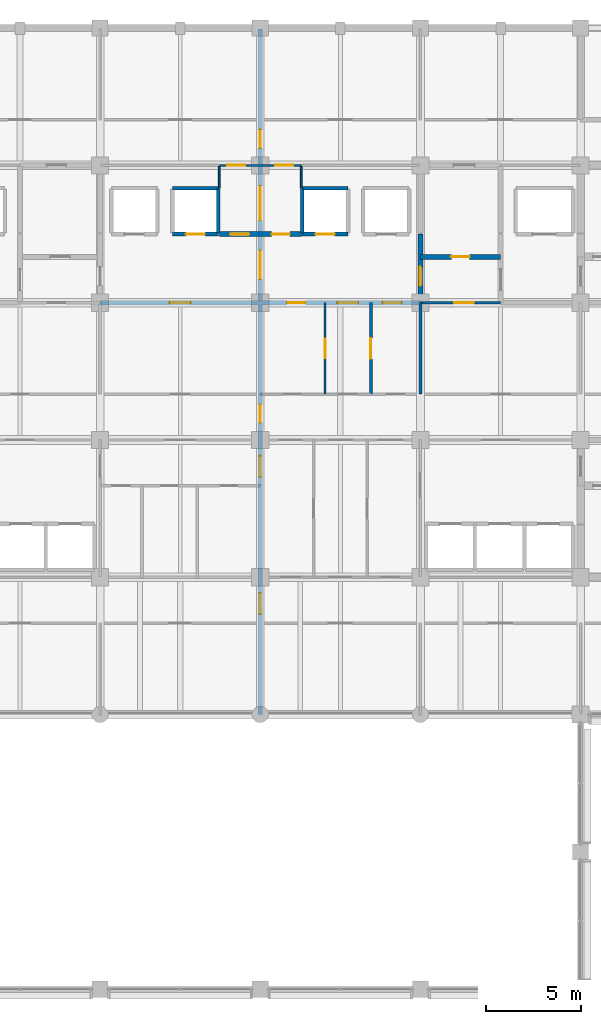
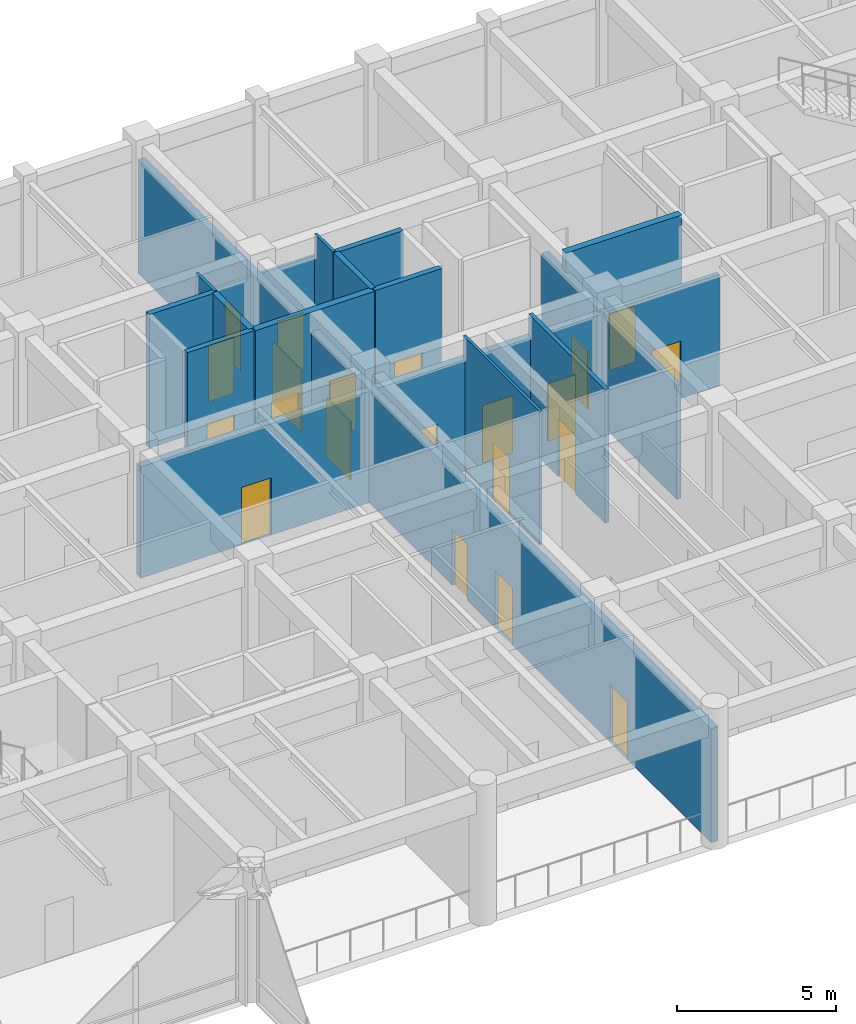
# One storey, part 34 of 51: 21 doors, 18 walls, 21 openings.
"""IFC4 building model written with IfcOpenShell, lengths in metres."""

from ifc_helpers import new_model, si_unit, direction, frame, frame_2d, origin, place, context, subcontext, project, spatial, rectangle, extrude, material, layer, layer_set, type_object, element, fill, save


model = new_model("IFC4")

# Units and contexts
model_context = context("Model", 3, precision=1e-05, world=origin(), true_north=direction((0.0, 1.0)))
body_context = subcontext(model_context, "Body", "Model", "MODEL_VIEW")
ifc_project = project(units=[si_unit("LENGTHUNIT", "METRE"), si_unit("AREAUNIT", "SQUARE_METRE"), si_unit("VOLUMEUNIT", "CUBIC_METRE"), si_unit("PLANEANGLEUNIT", "RADIAN"), si_unit("MASSUNIT", "GRAM", prefix="KILO")], contexts=[model_context])

# Site, building, storey
site_placement = place(None, origin())
site = spatial("IfcSite", under=ifc_project, at=site_placement, CompositionType="ELEMENT")
building_placement = place(site_placement, origin())
building = spatial("IfcBuilding", under=site, at=building_placement, Name="Chengyuan Square Courthouse", CompositionType="ELEMENT")
storey_placement = place(building_placement, frame((0.0, 0.0, 10.800048828125)))
storey = spatial("IfcBuildingStorey", under=building, at=storey_placement, Name="L03", CompositionType="ELEMENT", Elevation=10.800048828125)

# Wall, openings, doors
ifc_material_1 = material(Name="Concrete C40", Category="concrete")
ifc_layer_1 = layer(ifc_material_1, 0.25)
ifc_layer_set_1 = layer_set([ifc_layer_1], Name="Concrete C40")
wall_type_1 = type_object("IfcWallType", Name="WL-FW1", PredefinedType="STANDARD", material=ifc_layer_set_1)
wall_1_placement = place(storey_placement, frame((75.60009765625, 100.800048828125, 0.0), z_axis=(0.0, 0.0, 1.0), x_axis=(1.0, 0.0, 0.0)))
wall_1 = element("IfcWall", 1, at=wall_1_placement, inside=storey, type_object=wall_type_1, Name="Interior Wall WL-L03-I1486", PredefinedType="STANDARD", context=body_context, shape_type="SweptSolid", body=[
    extrude(rectangle(XDim=16.7998046875, YDim=0.25, at=frame_2d((8.39990234375, 0.0))), origin(), (0.0, 0.0, 1.0), 4.27001953125),
])
opening_1_placement = place(wall_1_placement, frame((3.64990234375, 0.0, 0.0)))
opening_1 = element("IfcOpeningElement", 2, at=opening_1_placement, cuts=wall_1, Name="Opening DR-1392", PredefinedType="OPENING", context=body_context, shape_type="SweptSolid", body=[
    extrude(rectangle(XDim=1.10009765625, YDim=2.199951171875, at=frame_2d((0.550048828125, 1.10009765625))), frame((0.0, 0.136962890625, 0.0), z_axis=(0.0, -1.0, 0.0), x_axis=(1.0, 0.0, 0.0)), (0.0, 0.0, 1.0), 0.27392578125),
])
opening_2_placement = place(wall_1_placement, frame((9.81005859375, 0.0, 0.0)))
opening_2 = element("IfcOpeningElement", 3, at=opening_2_placement, cuts=wall_1, Name="Opening DR-1394", PredefinedType="OPENING", context=body_context, shape_type="SweptSolid", body=[
    extrude(rectangle(XDim=0.949951171875, YDim=2.14990234375, at=frame_2d((0.47509765625, 1.074951171875))), frame((0.0, 0.136962890625, 0.0), z_axis=(0.0, -1.0, 0.0), x_axis=(1.0, 0.0, 0.0)), (0.0, 0.0, 1.0), 0.27392578125),
])
opening_3_placement = place(wall_1_placement, frame((12.449951171875, 0.0, 0.0)))
opening_3 = element("IfcOpeningElement", 4, at=opening_3_placement, cuts=wall_1, Name="Opening DR-1395", PredefinedType="OPENING", context=body_context, shape_type="SweptSolid", body=[
    extrude(rectangle(XDim=1.10009765625, YDim=2.199951171875, at=frame_2d((0.550048828125, 1.10009765625))), frame((0.0, 0.136962890625, 0.0), z_axis=(0.0, -1.0, 0.0), x_axis=(1.0, 0.0, 0.0)), (0.0, 0.0, 1.0), 0.27392578125),
])
opening_4_placement = place(wall_1_placement, frame((14.81494140625, 0.0, 0.0)))
opening_4 = element("IfcOpeningElement", 5, at=opening_4_placement, cuts=wall_1, Name="Opening DR-1396", PredefinedType="OPENING", context=body_context, shape_type="SweptSolid", body=[
    extrude(rectangle(XDim=1.0, YDim=2.199951171875, at=frame_2d((0.5, 1.10009765625))), frame((0.0, 0.136962890625, 0.0), z_axis=(0.0, -1.0, 0.0), x_axis=(1.0, 0.0, 0.0)), (0.0, 0.0, 1.0), 0.27392578125),
])
ifc_material_2 = material(Name="Steel Q235B Fire Door", Category="steel")
door_type_1 = type_object("IfcDoorType", Name="DT-10", OperationType="NOTDEFINED", PredefinedType="DOOR", material=ifc_material_2)
door_1_placement = place(opening_1_placement, origin())
door_1 = element("IfcDoor", 6, at=door_1_placement, inside=storey, type_object=door_type_1, Name="Interior Door DR-1392", OperationType="SINGLE_SWING_RIGHT", OverallHeight=2.199951171875, OverallWidth=1.10009765625, PredefinedType="DOOR", context=body_context, shape_type="SweptSolid", body=[
    extrude(rectangle(XDim=1.10009765625, YDim=2.199951171875, at=frame_2d((0.550048828125, 1.10009765625))), frame((0.0, 0.02490234375, 0.0), z_axis=(0.0, -1.0, 0.0), x_axis=(1.0, 0.0, 0.0)), (0.0, 0.0, 1.0), 0.050048828125),
])
fill(opening_1, door_1)
door_2_placement = place(opening_3_placement, origin())
door_2 = element("IfcDoor", 7, at=door_2_placement, inside=storey, type_object=door_type_1, Name="Interior Door DR-1395", OperationType="SINGLE_SWING_LEFT", OverallHeight=2.199951171875, OverallWidth=1.10009765625, PredefinedType="DOOR", context=body_context, shape_type="SweptSolid", body=[
    extrude(rectangle(XDim=1.10009765625, YDim=2.199951171875, at=frame_2d((0.550048828125, 1.10009765625))), frame((0.0, 0.02490234375, 0.0), z_axis=(0.0, -1.0, 0.0), x_axis=(1.0, 0.0, 0.0)), (0.0, 0.0, 1.0), 0.050048828125),
])
fill(opening_3, door_2)
door_type_2 = type_object("IfcDoorType", Name="DT-11", OperationType="NOTDEFINED", PredefinedType="DOOR", material=ifc_material_2)
door_3_placement = place(opening_4_placement, origin())
door_3 = element("IfcDoor", 8, at=door_3_placement, inside=storey, type_object=door_type_2, Name="Interior Door DR-1396", OperationType="SINGLE_SWING_RIGHT", OverallHeight=2.199951171875, OverallWidth=1.0, PredefinedType="DOOR", context=body_context, shape_type="SweptSolid", body=[
    extrude(rectangle(XDim=1.0, YDim=2.199951171875, at=frame_2d((0.5, 1.10009765625))), frame((0.0, 0.02490234375, 0.0), z_axis=(0.0, -1.0, 0.0), x_axis=(1.0, 0.0, 0.0)), (0.0, 0.0, 1.0), 0.050048828125),
])
fill(opening_4, door_3)
door_type_3 = type_object("IfcDoorType", Name="DT-12", OperationType="NOTDEFINED", PredefinedType="DOOR", material=ifc_material_2)
door_4_placement = place(opening_2_placement, origin())
door_4 = element("IfcDoor", 9, at=door_4_placement, inside=storey, type_object=door_type_3, Name="Interior Door DR-1394", OperationType="SINGLE_SWING_RIGHT", OverallHeight=2.14990234375, OverallWidth=0.949951171875, PredefinedType="DOOR", context=body_context, shape_type="SweptSolid", body=[
    extrude(rectangle(XDim=0.949951171875, YDim=2.14990234375, at=frame_2d((0.47509765625, 1.074951171875))), frame((0.0, 0.02490234375, 0.0), z_axis=(0.0, -1.0, 0.0), x_axis=(1.0, 0.0, 0.0)), (0.0, 0.0, 1.0), 0.050048828125),
])
fill(opening_2, door_4)

# Wall, opening, door
wall_2_placement = place(storey_placement, frame((92.39990234375, 103.199951171875, 0.0), z_axis=(0.0, 0.0, 1.0), x_axis=(1.0, 0.0, 0.0)))
wall_2 = element("IfcWall", 10, at=wall_2_placement, inside=storey, type_object=wall_type_1, Name="Interior Wall WL-L03-I1503", PredefinedType="STANDARD", context=body_context, shape_type="SweptSolid", body=[
    extrude(rectangle(XDim=4.2001953125, YDim=0.25, at=frame_2d((2.10009765625, 0.0))), origin(), (0.0, 0.0, 1.0), 5.119873046875),
])
opening_5_placement = place(wall_2_placement, frame((1.625, 0.0, 0.0)))
opening_5 = element("IfcOpeningElement", 11, at=opening_5_placement, cuts=wall_2, Name="Opening DR-1376", PredefinedType="OPENING", context=body_context, shape_type="SweptSolid", body=[
    extrude(rectangle(XDim=0.949951171875, YDim=2.14990234375, at=frame_2d((0.47509765625, 1.074951171875))), frame((0.0, 0.136962890625, 0.0), z_axis=(0.0, -1.0, 0.0), x_axis=(1.0, 0.0, 0.0)), (0.0, 0.0, 1.0), 0.27392578125),
])
door_5_placement = place(opening_5_placement, origin())
door_5 = element("IfcDoor", 12, at=door_5_placement, inside=storey, type_object=door_type_3, Name="Interior Door DR-1376", OperationType="SINGLE_SWING_LEFT", OverallHeight=2.14990234375, OverallWidth=0.949951171875, PredefinedType="DOOR", context=body_context, shape_type="SweptSolid", body=[
    extrude(rectangle(XDim=0.949951171875, YDim=2.14990234375, at=frame_2d((0.47509765625, 1.074951171875))), frame((0.0, 0.02490234375, 0.0), z_axis=(0.0, -1.0, 0.0), x_axis=(1.0, 0.0, 0.0)), (0.0, 0.0, 1.0), 0.050048828125),
])
fill(opening_5, door_5)

# Wall, openings, doors
wall_3_placement = place(storey_placement, frame((81.85009765625, 104.39990234375, 0.0), z_axis=(0.0, 0.0, 1.0), x_axis=(1.0, 0.0, 0.0)))
wall_3 = element("IfcWall", 13, at=wall_3_placement, inside=storey, type_object=wall_type_1, Name="Interior Wall WL-L03-I1514", PredefinedType="STANDARD", context=body_context, shape_type="SweptSolid", body=[
    extrude(rectangle(XDim=4.2998046875, YDim=0.25, at=frame_2d((2.14990234375, 0.0))), origin(), (0.0, 0.0, 1.0), 5.119873046875),
])
opening_6_placement = place(wall_3_placement, frame((0.574951171875, 0.0, 0.0)))
opening_6 = element("IfcOpeningElement", 14, at=opening_6_placement, cuts=wall_3, Name="Opening DR-1393", PredefinedType="OPENING", context=body_context, shape_type="SweptSolid", body=[
    extrude(rectangle(XDim=1.0, YDim=2.199951171875, at=frame_2d((0.5, 1.10009765625))), frame((0.0, 0.136962890625, 0.0), z_axis=(0.0, -1.0, 0.0), x_axis=(1.0, 0.0, 0.0)), (0.0, 0.0, 1.0), 0.27392578125),
])
opening_7_placement = place(wall_3_placement, frame((2.75, 0.0, 0.0)))
opening_7 = element("IfcOpeningElement", 15, at=opening_7_placement, cuts=wall_3, Name="Opening DR-1397", PredefinedType="OPENING", context=body_context, shape_type="SweptSolid", body=[
    extrude(rectangle(XDim=0.949951171875, YDim=2.14990234375, at=frame_2d((0.47509765625, 1.074951171875))), frame((0.0, 0.136962890625, 0.0), z_axis=(0.0, -1.0, 0.0), x_axis=(1.0, 0.0, 0.0)), (0.0, 0.0, 1.0), 0.27392578125),
])
door_6_placement = place(opening_6_placement, origin())
door_6 = element("IfcDoor", 16, at=door_6_placement, inside=storey, type_object=door_type_2, Name="Interior Door DR-1393", OperationType="SINGLE_SWING_LEFT", OverallHeight=2.199951171875, OverallWidth=1.0, PredefinedType="DOOR", context=body_context, shape_type="SweptSolid", body=[
    extrude(rectangle(XDim=1.0, YDim=2.199951171875, at=frame_2d((0.5, 1.10009765625))), frame((0.0, 0.02490234375, 0.0), z_axis=(0.0, -1.0, 0.0), x_axis=(1.0, 0.0, 0.0)), (0.0, 0.0, 1.0), 0.050048828125),
])
fill(opening_6, door_6)
door_7_placement = place(opening_7_placement, origin())
door_7 = element("IfcDoor", 17, at=door_7_placement, inside=storey, type_object=door_type_3, Name="Interior Door DR-1397", OperationType="SINGLE_SWING_LEFT", OverallHeight=2.14990234375, OverallWidth=0.949951171875, PredefinedType="DOOR", context=body_context, shape_type="SweptSolid", body=[
    extrude(rectangle(XDim=0.949951171875, YDim=2.14990234375, at=frame_2d((0.47509765625, 1.074951171875))), frame((0.0, 0.02490234375, 0.0), z_axis=(0.0, -1.0, 0.0), x_axis=(1.0, 0.0, 0.0)), (0.0, 0.0, 1.0), 0.050048828125),
])
fill(opening_7, door_7)

wall_4_placement = place(storey_placement, frame((84.0, 79.199951171875, 0.0), z_axis=(0.0, 0.0, 1.0), x_axis=(0.0, 1.0, 0.0)))
wall_4 = element("IfcWall", 18, at=wall_4_placement, inside=storey, type_object=wall_type_1, Name="Interior Wall WL-L03-I1642", PredefinedType="STANDARD", context=body_context, shape_type="SweptSolid", body=[
    extrude(rectangle(XDim=35.9599609375, YDim=0.25, at=frame_2d((17.97998046875, 0.0))), origin(), (0.0, 0.0, 1.0), 4.369873046875),
])
opening_8_placement = place(wall_4_placement, frame((22.8349609375, 0.0, 0.0)))
opening_8 = element("IfcOpeningElement", 19, at=opening_8_placement, cuts=wall_4, Name="Opening DR-1391", PredefinedType="OPENING", context=body_context, shape_type="SweptSolid", body=[
    extrude(rectangle(XDim=1.5, YDim=2.25, at=frame_2d((0.75, 1.125))), frame((0.0, 0.136962890625, 0.0), z_axis=(0.0, -1.0, 0.0), x_axis=(1.0, 0.0, 0.0)), (0.0, 0.0, 1.0), 0.27392578125),
])
opening_9_placement = place(wall_4_placement, frame((12.465087890625, 0.0, 0.0)))
opening_9 = element("IfcOpeningElement", 20, at=opening_9_placement, cuts=wall_4, Name="Opening DR-1446", PredefinedType="OPENING", context=body_context, shape_type="SweptSolid", body=[
    extrude(rectangle(XDim=1.10009765625, YDim=2.199951171875, at=frame_2d((0.550048828125, 1.10009765625))), frame((0.0, 0.136962890625, 0.0), z_axis=(0.0, -1.0, 0.0), x_axis=(1.0, 0.0, 0.0)), (0.0, 0.0, 1.0), 0.27392578125),
])
opening_10_placement = place(wall_4_placement, frame((15.31005859375, 0.0, 0.0)))
opening_10 = element("IfcOpeningElement", 21, at=opening_10_placement, cuts=wall_4, Name="Opening DR-1466", PredefinedType="OPENING", context=body_context, shape_type="SweptSolid", body=[
    extrude(rectangle(XDim=0.949951171875, YDim=2.14990234375, at=frame_2d((0.47509765625, 1.074951171875))), frame((0.0, 0.136962890625, 0.0), z_axis=(0.0, -1.0, 0.0), x_axis=(1.0, 0.0, 0.0)), (0.0, 0.0, 1.0), 0.27392578125),
])
opening_11_placement = place(wall_4_placement, frame((25.9150390625, 0.0, 0.0)))
opening_11 = element("IfcOpeningElement", 22, at=opening_11_placement, cuts=wall_4, Name="Opening DR-1562", PredefinedType="OPENING", context=body_context, shape_type="SweptSolid", body=[
    extrude(rectangle(XDim=1.800048828125, YDim=2.35009765625, at=frame_2d((0.89990234375, 1.175048828125))), frame((0.0, 0.136962890625, 0.0), z_axis=(0.0, -1.0, 0.0), x_axis=(1.0, 0.0, 0.0)), (0.0, 0.0, 1.0), 0.27392578125),
])
opening_12_placement = place(wall_4_placement, frame((29.7099609375, 0.0, 0.0)))
opening_12 = element("IfcOpeningElement", 23, at=opening_12_placement, cuts=wall_4, Name="Opening DR-1565", PredefinedType="OPENING", context=body_context, shape_type="SweptSolid", body=[
    extrude(rectangle(XDim=0.949951171875, YDim=2.14990234375, at=frame_2d((0.47509765625, 1.074951171875))), frame((0.0, 0.136962890625, 0.0), z_axis=(0.0, -1.0, 0.0), x_axis=(1.0, 0.0, 0.0)), (0.0, 0.0, 1.0), 0.27392578125),
])
opening_13_placement = place(wall_4_placement, frame((5.264892578125, 0.0, 0.0)))
opening_13 = element("IfcOpeningElement", 24, at=opening_13_placement, cuts=wall_4, Name="Opening DR-1581", PredefinedType="OPENING", context=body_context, shape_type="SweptSolid", body=[
    extrude(rectangle(XDim=1.10009765625, YDim=2.199951171875, at=frame_2d((0.550048828125, 1.10009765625))), frame((0.0, 0.136962890625, 0.0), z_axis=(0.0, -1.0, 0.0), x_axis=(1.0, 0.0, 0.0)), (0.0, 0.0, 1.0), 0.27392578125),
])
door_8_placement = place(opening_9_placement, origin())
door_8 = element("IfcDoor", 25, at=door_8_placement, inside=storey, type_object=door_type_1, Name="Interior Door DR-1446", OperationType="SINGLE_SWING_LEFT", OverallHeight=2.199951171875, OverallWidth=1.10009765625, PredefinedType="DOOR", context=body_context, shape_type="SweptSolid", body=[
    extrude(rectangle(XDim=1.10009765625, YDim=2.199951171875, at=frame_2d((0.550048828125, 1.10009765625))), frame((0.0, 0.02490234375, 0.0), z_axis=(0.0, -1.0, 0.0), x_axis=(1.0, 0.0, 0.0)), (0.0, 0.0, 1.0), 0.050048828125),
])
fill(opening_9, door_8)
door_9_placement = place(opening_13_placement, origin())
door_9 = element("IfcDoor", 26, at=door_9_placement, inside=storey, type_object=door_type_1, Name="Interior Door DR-1581", OperationType="SINGLE_SWING_RIGHT", OverallHeight=2.199951171875, OverallWidth=1.10009765625, PredefinedType="DOOR", context=body_context, shape_type="SweptSolid", body=[
    extrude(rectangle(XDim=1.10009765625, YDim=2.199951171875, at=frame_2d((0.550048828125, 1.10009765625))), frame((0.0, 0.02490234375, 0.0), z_axis=(0.0, -1.0, 0.0), x_axis=(1.0, 0.0, 0.0)), (0.0, 0.0, 1.0), 0.050048828125),
])
fill(opening_13, door_9)
door_10_placement = place(opening_10_placement, origin())
door_10 = element("IfcDoor", 27, at=door_10_placement, inside=storey, type_object=door_type_3, Name="Interior Door DR-1466", OperationType="SINGLE_SWING_LEFT", OverallHeight=2.14990234375, OverallWidth=0.949951171875, PredefinedType="DOOR", context=body_context, shape_type="SweptSolid", body=[
    extrude(rectangle(XDim=0.949951171875, YDim=2.14990234375, at=frame_2d((0.47509765625, 1.074951171875))), frame((0.0, 0.02490234375, 0.0), z_axis=(0.0, -1.0, 0.0), x_axis=(1.0, 0.0, 0.0)), (0.0, 0.0, 1.0), 0.050048828125),
])
fill(opening_10, door_10)
door_11_placement = place(opening_12_placement, origin())
door_11 = element("IfcDoor", 28, at=door_11_placement, inside=storey, type_object=door_type_3, Name="Interior Door DR-1565", OperationType="SINGLE_SWING_LEFT", OverallHeight=2.14990234375, OverallWidth=0.949951171875, PredefinedType="DOOR", context=body_context, shape_type="SweptSolid", body=[
    extrude(rectangle(XDim=0.949951171875, YDim=2.14990234375, at=frame_2d((0.47509765625, 1.074951171875))), frame((0.0, 0.02490234375, 0.0), z_axis=(0.0, -1.0, 0.0), x_axis=(1.0, 0.0, 0.0)), (0.0, 0.0, 1.0), 0.050048828125),
])
fill(opening_12, door_11)
ifc_material_3 = material(Name="Steel Q235B Glazed Fire Door", Category="steel")
door_type_4 = type_object("IfcDoorType", Name="DT-18", OperationType="DOUBLE_DOOR_SINGLE_SWING", PredefinedType="DOOR", material=ifc_material_3)
door_12_placement = place(opening_11_placement, frame((1.800048828125, 0.0, 0.0), z_axis=(0.0, 0.0, 1.0), x_axis=(-1.0, 0.0, 0.0)))
door_12 = element("IfcDoor", 29, at=door_12_placement, inside=storey, type_object=door_type_4, Name="Interior Door DR-1562", OperationType="DOUBLE_DOOR_SINGLE_SWING", OverallHeight=2.35009765625, OverallWidth=1.800048828125, PredefinedType="DOOR", context=body_context, shape_type="SweptSolid", body=[
    extrude(rectangle(XDim=1.800048828125, YDim=2.35009765625, at=frame_2d((0.89990234375, 1.175048828125))), frame((0.0, 0.02490234375, 0.0), z_axis=(0.0, -1.0, 0.0), x_axis=(1.0, 0.0, 0.0)), (0.0, 0.0, 1.0), 0.050048828125),
])
fill(opening_11, door_12)
door_type_5 = type_object("IfcDoorType", Name="DT-19", OperationType="DOUBLE_DOOR_SINGLE_SWING", PredefinedType="DOOR", material=ifc_material_3)
door_13_placement = place(opening_8_placement, frame((1.5, 0.0, 0.0), z_axis=(0.0, 0.0, 1.0), x_axis=(-1.0, 0.0, 0.0)))
door_13 = element("IfcDoor", 30, at=door_13_placement, inside=storey, type_object=door_type_5, Name="Interior Door DR-1391", OperationType="DOUBLE_DOOR_SINGLE_SWING", OverallHeight=2.25, OverallWidth=1.5, PredefinedType="DOOR", context=body_context, shape_type="SweptSolid", body=[
    extrude(rectangle(XDim=1.5, YDim=2.25, at=frame_2d((0.75, 1.125))), frame((0.0, 0.02490234375, 0.0), z_axis=(0.0, -1.0, 0.0), x_axis=(1.0, 0.0, 0.0)), (0.0, 0.0, 1.0), 0.050048828125),
])
fill(opening_8, door_13)

# Wall, opening, door
wall_5_placement = place(storey_placement, frame((92.39990234375, 100.800048828125, 0.0), z_axis=(0.0, 0.0, 1.0), x_axis=(0.0, 1.0, 0.0)))
wall_5 = element("IfcWall", 31, at=wall_5_placement, inside=storey, type_object=wall_type_1, Name="Interior Wall WL-L03-I1656", PredefinedType="STANDARD", context=body_context, shape_type="SweptSolid", body=[
    extrude(rectangle(XDim=3.599853515625, YDim=0.25, at=frame_2d((1.7998046875, 0.0))), origin(), (0.0, 0.0, 1.0), 4.369873046875),
])
opening_14_placement = place(wall_5_placement, frame((0.885009765625, 0.0, 0.0)))
opening_14 = element("IfcOpeningElement", 32, at=opening_14_placement, cuts=wall_5, Name="Opening DR-1378", PredefinedType="OPENING", context=body_context, shape_type="SweptSolid", body=[
    extrude(rectangle(XDim=1.0, YDim=2.199951171875, at=frame_2d((0.5, 1.10009765625))), frame((0.0, 0.136962890625, 0.0), z_axis=(0.0, -1.0, 0.0), x_axis=(1.0, 0.0, 0.0)), (0.0, 0.0, 1.0), 0.27392578125),
])
door_14_placement = place(opening_14_placement, origin())
door_14 = element("IfcDoor", 33, at=door_14_placement, inside=storey, type_object=door_type_2, Name="Interior Door DR-1378", OperationType="SINGLE_SWING_LEFT", OverallHeight=2.199951171875, OverallWidth=1.0, PredefinedType="DOOR", context=body_context, shape_type="SweptSolid", body=[
    extrude(rectangle(XDim=1.0, YDim=2.199951171875, at=frame_2d((0.5, 1.10009765625))), frame((0.0, 0.02490234375, 0.0), z_axis=(0.0, -1.0, 0.0), x_axis=(1.0, 0.0, 0.0)), (0.0, 0.0, 1.0), 0.050048828125),
])
fill(opening_14, door_14)

ifc_material_4 = material(Name="Deliberation Room Sound-Insulated Partition")
ifc_layer_2 = layer(ifc_material_4, 0.14990234375)
ifc_layer_set_2 = layer_set([ifc_layer_2], Name="Deliberation Room Sound-Insulated Partition")
wall_type_2 = type_object("IfcWallType", Name="WL-PT3", PredefinedType="STANDARD", material=ifc_layer_set_2)
wall_6_placement = place(storey_placement, frame((92.39990234375, 100.800048828125, 0.0), z_axis=(0.0, 0.0, 1.0), x_axis=(1.0, 0.0, 0.0)))
wall_6 = element("IfcWall", 34, at=wall_6_placement, inside=storey, type_object=wall_type_2, Name="Interior Wall WL-L03-I1487", PredefinedType="STANDARD", context=body_context, shape_type="SweptSolid", body=[
    extrude(rectangle(XDim=4.2001953125, YDim=0.14990234375, at=frame_2d((2.10009765625, 0.0))), origin(), (0.0, 0.0, 1.0), 4.27001953125),
])
opening_15_placement = place(wall_6_placement, frame((1.764892578125, 0.0, 0.0)))
opening_15 = element("IfcOpeningElement", 35, at=opening_15_placement, cuts=wall_6, Name="Opening DR-1379", PredefinedType="OPENING", context=body_context, shape_type="SweptSolid", body=[
    extrude(rectangle(XDim=1.0400390625, YDim=2.199951171875, at=frame_2d((0.52001953125, 1.10009765625))), frame((0.0, 0.0869140625, 0.0), z_axis=(0.0, -1.0, 0.0), x_axis=(1.0, 0.0, 0.0)), (0.0, 0.0, 1.0), 0.173828125),
])
ifc_material_5 = material(Name="Acoustic Solid-Core Timber Door", Category="wood")
door_type_6 = type_object("IfcDoorType", Name="DT-32", OperationType="NOTDEFINED", PredefinedType="DOOR", material=ifc_material_5)
door_15_placement = place(opening_15_placement, origin())
door_15 = element("IfcDoor", 36, at=door_15_placement, inside=storey, type_object=door_type_6, Name="Interior Door DR-1379", OperationType="SINGLE_SWING_RIGHT", OverallHeight=2.199951171875, OverallWidth=1.0400390625, PredefinedType="DOOR", context=body_context, shape_type="SweptSolid", body=[
    extrude(rectangle(XDim=1.0400390625, YDim=2.199951171875, at=frame_2d((0.52001953125, 1.10009765625))), frame((0.0, 0.02490234375, 0.0), z_axis=(0.0, -1.0, 0.0), x_axis=(1.0, 0.0, 0.0)), (0.0, 0.0, 1.0), 0.050048828125),
])
fill(opening_15, door_15)

wall_7_placement = place(storey_placement, frame((89.800048828125, 96.0, 0.0), z_axis=(0.0, 0.0, 1.0), x_axis=(0.0, 1.0, 0.0)))
wall_7 = element("IfcWall", 37, at=wall_7_placement, inside=storey, type_object=wall_type_2, Name="Interior Wall WL-L03-I1650", PredefinedType="STANDARD", context=body_context, shape_type="SweptSolid", body=[
    extrude(rectangle(XDim=4.800048828125, YDim=0.14990234375, at=frame_2d((2.39990234375, 0.0))), origin(), (0.0, 0.0, 1.0), 5.119873046875),
])
opening_16_placement = place(wall_7_placement, frame((1.860107421875, 0.0, 0.0)))
opening_16 = element("IfcOpeningElement", 38, at=opening_16_placement, cuts=wall_7, Name="Opening DR-1516", PredefinedType="OPENING", context=body_context, shape_type="SweptSolid", body=[
    extrude(rectangle(XDim=1.080078125, YDim=2.25, at=frame_2d((0.5400390625, 1.125))), frame((0.0, 0.0869140625, 0.0), z_axis=(0.0, -1.0, 0.0), x_axis=(1.0, 0.0, 0.0)), (0.0, 0.0, 1.0), 0.173828125),
])
door_type_7 = type_object("IfcDoorType", Name="DT-33", OperationType="NOTDEFINED", PredefinedType="DOOR", material=ifc_material_5)
door_16_placement = place(opening_16_placement, origin())
door_16 = element("IfcDoor", 39, at=door_16_placement, inside=storey, type_object=door_type_7, Name="Interior Door DR-1516", OperationType="SINGLE_SWING_RIGHT", OverallHeight=2.25, OverallWidth=1.080078125, PredefinedType="DOOR", context=body_context, shape_type="SweptSolid", body=[
    extrude(rectangle(XDim=1.080078125, YDim=2.25, at=frame_2d((0.5400390625, 1.125))), frame((0.0, 0.02490234375, 0.0), z_axis=(0.0, -1.0, 0.0), x_axis=(1.0, 0.0, 0.0)), (0.0, 0.0, 1.0), 0.050048828125),
])
fill(opening_16, door_16)

# Wall
wall_8_placement = place(storey_placement, frame((92.39990234375, 96.0, 0.0), z_axis=(0.0, 0.0, 1.0), x_axis=(0.0, 1.0, 0.0)))
element("IfcWall", 40, at=wall_8_placement, inside=storey, type_object=wall_type_2, Name="Interior Wall WL-L03-I1655", PredefinedType="STANDARD", context=body_context, shape_type="SweptSolid", body=[
    extrude(rectangle(XDim=4.800048828125, YDim=0.14990234375, at=frame_2d((2.39990234375, 0.0))), origin(), (0.0, 0.0, 1.0), 4.369873046875),
])

# Wall, openings, doors
ifc_material_6 = material(Name="Gypsum Plasterboard Acoustic Stud Partition")
ifc_layer_3 = layer(ifc_material_6, 0.10009765625)
ifc_layer_set_3 = layer_set([ifc_layer_3], Name="Gypsum Plasterboard Acoustic Stud Partition")
wall_type_3 = type_object("IfcWallType", Name="WL-PT6", PredefinedType="STANDARD", material=ifc_layer_set_3)
wall_9_placement = place(storey_placement, frame((81.85009765625, 108.0, 0.0), z_axis=(0.0, 0.0, 1.0), x_axis=(1.0, 0.0, 0.0)))
wall_9 = element("IfcWall", 41, at=wall_9_placement, inside=storey, type_object=wall_type_3, Name="Interior Wall WL-L03-I1537", PredefinedType="STANDARD", context=body_context, shape_type="SweptSolid", body=[
    extrude(rectangle(XDim=4.2998046875, YDim=0.10009765625, at=frame_2d((2.14990234375, 0.0))), origin(), (0.0, 0.0, 1.0), 4.27001953125),
])
opening_17_placement = place(wall_9_placement, frame((0.429931640625, 0.0, 0.0)))
opening_17 = element("IfcOpeningElement", 42, at=opening_17_placement, cuts=wall_9, Name="Opening DR-1563", PredefinedType="OPENING", context=body_context, shape_type="SweptSolid", body=[
    extrude(rectangle(XDim=0.919921875, YDim=2.14990234375, at=frame_2d((0.4599609375, 1.074951171875))), frame((0.0, 0.06201171875, 0.0), z_axis=(0.0, -1.0, 0.0), x_axis=(1.0, 0.0, 0.0)), (0.0, 0.0, 1.0), 0.1240234375),
])
opening_18_placement = place(wall_9_placement, frame((2.929931640625, 0.0, 0.0)))
opening_18 = element("IfcOpeningElement", 43, at=opening_18_placement, cuts=wall_9, Name="Opening DR-1564", PredefinedType="OPENING", context=body_context, shape_type="SweptSolid", body=[
    extrude(rectangle(XDim=0.9599609375, YDim=2.199951171875, at=frame_2d((0.47998046875, 1.10009765625))), frame((0.0, 0.06201171875, 0.0), z_axis=(0.0, -1.0, 0.0), x_axis=(1.0, 0.0, 0.0)), (0.0, 0.0, 1.0), 0.1240234375),
])
door_type_8 = type_object("IfcDoorType", Name="DT-29", OperationType="NOTDEFINED", PredefinedType="DOOR", material=ifc_material_5)
door_17_placement = place(opening_17_placement, origin())
door_17 = element("IfcDoor", 44, at=door_17_placement, inside=storey, type_object=door_type_8, Name="Interior Door DR-1563", OperationType="SINGLE_SWING_LEFT", OverallHeight=2.14990234375, OverallWidth=0.919921875, PredefinedType="DOOR", context=body_context, shape_type="SweptSolid", body=[
    extrude(rectangle(XDim=0.919921875, YDim=2.14990234375, at=frame_2d((0.4599609375, 1.074951171875))), frame((0.0, 0.02490234375, 0.0), z_axis=(0.0, -1.0, 0.0), x_axis=(1.0, 0.0, 0.0)), (0.0, 0.0, 1.0), 0.050048828125),
])
fill(opening_17, door_17)
door_type_9 = type_object("IfcDoorType", Name="DT-30", OperationType="NOTDEFINED", PredefinedType="DOOR", material=ifc_material_5)
door_18_placement = place(opening_18_placement, origin())
door_18 = element("IfcDoor", 45, at=door_18_placement, inside=storey, type_object=door_type_9, Name="Interior Door DR-1564", OperationType="SINGLE_SWING_RIGHT", OverallHeight=2.199951171875, OverallWidth=0.9599609375, PredefinedType="DOOR", context=body_context, shape_type="SweptSolid", body=[
    extrude(rectangle(XDim=0.9599609375, YDim=2.199951171875, at=frame_2d((0.47998046875, 1.10009765625))), frame((0.0, 0.02490234375, 0.0), z_axis=(0.0, -1.0, 0.0), x_axis=(1.0, 0.0, 0.0)), (0.0, 0.0, 1.0), 0.050048828125),
])
fill(opening_18, door_18)

# Walls
for number, where, z_axis, x_axis, name in (
    (46, (81.85009765625, 106.800048828125, 0.0), (0.0, 0.0, 1.0), (0.0, 1.0, 0.0), "Interior Wall WL-L03-I1641"),
    (47, (86.14990234375, 106.800048828125, 0.0), (0.0, 0.0, 1.0), (0.0, 1.0, 0.0), "Interior Wall WL-L03-I1643"),
):
    element("IfcWall", number, at=place(storey_placement, frame(where, z_axis=z_axis, x_axis=x_axis)), inside=storey, type_object=wall_type_3, Name=name, PredefinedType="STANDARD", context=body_context, shape_type="SweptSolid", body=[
        extrude(rectangle(XDim=1.14990234375, YDim=0.10009765625, at=frame_2d((0.574951171875, 0.0))), origin(), (0.0, 0.0, 1.0), 5.119873046875),
    ])

# Wall, opening, door
wall_10_placement = place(storey_placement, frame((87.39990234375, 96.0, 0.0), z_axis=(0.0, 0.0, 1.0), x_axis=(0.0, 1.0, 0.0)))
wall_10 = element("IfcWall", 48, at=wall_10_placement, inside=storey, type_object=wall_type_3, Name="Interior Wall WL-L03-I1646", PredefinedType="STANDARD", context=body_context, shape_type="SweptSolid", body=[
    extrude(rectangle(XDim=4.800048828125, YDim=0.10009765625, at=frame_2d((2.39990234375, 0.0))), origin(), (0.0, 0.0, 1.0), 5.119873046875),
])
opening_19_placement = place(wall_10_placement, frame((1.8798828125, 0.0, 0.0)))
opening_19 = element("IfcOpeningElement", 49, at=opening_19_placement, cuts=wall_10, Name="Opening DR-1515", PredefinedType="OPENING", context=body_context, shape_type="SweptSolid", body=[
    extrude(rectangle(XDim=1.0400390625, YDim=2.199951171875, at=frame_2d((0.52001953125, 1.10009765625))), frame((0.0, 0.06201171875, 0.0), z_axis=(0.0, -1.0, 0.0), x_axis=(1.0, 0.0, 0.0)), (0.0, 0.0, 1.0), 0.1240234375),
])
door_19_placement = place(opening_19_placement, origin())
door_19 = element("IfcDoor", 50, at=door_19_placement, inside=storey, type_object=door_type_6, Name="Interior Door DR-1515", OperationType="SINGLE_SWING_LEFT", OverallHeight=2.199951171875, OverallWidth=1.0400390625, PredefinedType="DOOR", context=body_context, shape_type="SweptSolid", body=[
    extrude(rectangle(XDim=1.0400390625, YDim=2.199951171875, at=frame_2d((0.52001953125, 1.10009765625))), frame((0.0, 0.02490234375, 0.0), z_axis=(0.0, -1.0, 0.0), x_axis=(1.0, 0.0, 0.0)), (0.0, 0.0, 1.0), 0.050048828125),
])
fill(opening_19, door_19)

ifc_material_7 = material(Name="Reinforced Masonry Shaft Enclosure", Category="masonry")
ifc_layer_4 = layer(ifc_material_7, 0.199951171875)
ifc_layer_set_4 = layer_set([ifc_layer_4], Name="Reinforced Masonry Shaft Enclosure")
wall_type_4 = type_object("IfcWallType", Name="WL-SH1", PredefinedType="STANDARD", material=ifc_layer_set_4)
wall_11_placement = place(storey_placement, frame((79.39990234375, 104.39990234375, 0.0), z_axis=(0.0, 0.0, 1.0), x_axis=(1.0, 0.0, 0.0)))
wall_11 = element("IfcWall", 51, at=wall_11_placement, inside=storey, type_object=wall_type_4, Name="Interior Wall WL-L03-I1513", PredefinedType="STANDARD", context=body_context, shape_type="SweptSolid", body=[
    extrude(rectangle(XDim=2.400146484375, YDim=0.199951171875, at=frame_2d((1.2001953125, 0.0))), origin(), (0.0, 0.0, 1.0), 5.119873046875),
])
opening_20_placement = place(wall_11_placement, frame((0.699951171875, 0.0, 0.0)))
opening_20 = element("IfcOpeningElement", 52, at=opening_20_placement, cuts=wall_11, Name="Opening LD-058", PredefinedType="OPENING", context=body_context, shape_type="SweptSolid", body=[
    extrude(rectangle(XDim=1.0, YDim=2.14990234375, at=frame_2d((0.5, 1.074951171875))), frame((0.0, 0.112060546875, 0.0), z_axis=(0.0, -1.0, 0.0), x_axis=(1.0, 0.0, 0.0)), (0.0, 0.0, 1.0), 0.223876953125),
])
ifc_material_8 = material(Name="Stainless Steel S30408 Lift Landing Door", Category="steel")
door_type_10 = type_object("IfcDoorType", Name="DT-07", OperationType="DOUBLE_DOOR_SLIDING", PredefinedType="DOOR", material=ifc_material_8)
door_20_placement = place(opening_20_placement, origin())
door_20 = element("IfcDoor", 53, at=door_20_placement, inside=storey, type_object=door_type_10, Name="Lift Landing Door LF-J2 L03", OperationType="DOUBLE_DOOR_SLIDING", OverallHeight=2.14990234375, OverallWidth=1.0, PredefinedType="DOOR", context=body_context, shape_type="SweptSolid", body=[
    extrude(rectangle(XDim=1.0, YDim=2.14990234375, at=frame_2d((0.5, 1.074951171875))), frame((0.0, 0.02490234375, 0.0), z_axis=(0.0, -1.0, 0.0), x_axis=(1.0, 0.0, 0.0)), (0.0, 0.0, 1.0), 0.050048828125),
])
fill(opening_20, door_20)

wall_12_placement = place(storey_placement, frame((86.199951171875, 104.39990234375, 0.0), z_axis=(0.0, 0.0, 1.0), x_axis=(1.0, 0.0, 0.0)))
wall_12 = element("IfcWall", 54, at=wall_12_placement, inside=storey, type_object=wall_type_4, Name="Interior Wall WL-L03-I1515", PredefinedType="STANDARD", context=body_context, shape_type="SweptSolid", body=[
    extrude(rectangle(XDim=2.400146484375, YDim=0.199951171875, at=frame_2d((1.2001953125, 0.0))), origin(), (0.0, 0.0, 1.0), 5.119873046875),
])
opening_21_placement = place(wall_12_placement, frame((0.699951171875, 0.0, 0.0)))
opening_21 = element("IfcOpeningElement", 55, at=opening_21_placement, cuts=wall_12, Name="Opening LD-059", PredefinedType="OPENING", context=body_context, shape_type="SweptSolid", body=[
    extrude(rectangle(XDim=1.0, YDim=2.14990234375, at=frame_2d((0.5, 1.074951171875))), frame((0.0, 0.112060546875, 0.0), z_axis=(0.0, -1.0, 0.0), x_axis=(1.0, 0.0, 0.0)), (0.0, 0.0, 1.0), 0.223876953125),
])
door_21_placement = place(opening_21_placement, origin())
door_21 = element("IfcDoor", 56, at=door_21_placement, inside=storey, type_object=door_type_10, Name="Lift Landing Door LF-J3 L03", OperationType="DOUBLE_DOOR_SLIDING", OverallHeight=2.14990234375, OverallWidth=1.0, PredefinedType="DOOR", context=body_context, shape_type="SweptSolid", body=[
    extrude(rectangle(XDim=1.0, YDim=2.14990234375, at=frame_2d((0.5, 1.074951171875))), frame((0.0, 0.02490234375, 0.0), z_axis=(0.0, -1.0, 0.0), x_axis=(1.0, 0.0, 0.0)), (0.0, 0.0, 1.0), 0.050048828125),
])
fill(opening_21, door_21)

# Walls
for number, where, z_axis, x_axis, name in (
    (57, (79.39990234375, 106.800048828125, 0.0), (0.0, 0.0, 1.0), (1.0, 0.0, 0.0), "Interior Wall WL-L03-I1525"),
    (58, (86.199951171875, 106.800048828125, 0.0), (0.0, 0.0, 1.0), (1.0, 0.0, 0.0), "Interior Wall WL-L03-I1526"),
):
    element("IfcWall", number, at=place(storey_placement, frame(where, z_axis=z_axis, x_axis=x_axis)), inside=storey, type_object=wall_type_4, Name=name, PredefinedType="STANDARD", context=body_context, shape_type="SweptSolid", body=[
        extrude(rectangle(XDim=2.400146484375, YDim=0.199951171875, at=frame_2d((1.2001953125, 0.0))), origin(), (0.0, 0.0, 1.0), 5.119873046875),
    ])
for number, where, z_axis, x_axis, name in (
    (59, (81.800048828125, 104.449951171875, 0.0), (0.0, 0.0, 1.0), (0.0, 1.0, 0.0), "Interior Wall WL-L03-I1640"),
    (60, (86.199951171875, 104.449951171875, 0.0), (0.0, 0.0, 1.0), (0.0, 1.0, 0.0), "Interior Wall WL-L03-I1644"),
):
    element("IfcWall", number, at=place(storey_placement, frame(where, z_axis=z_axis, x_axis=x_axis)), inside=storey, type_object=wall_type_4, Name=name, PredefinedType="STANDARD", context=body_context, shape_type="SweptSolid", body=[
        extrude(rectangle(XDim=2.300048828125, YDim=0.199951171875, at=frame_2d((1.14990234375, 0.0))), origin(), (0.0, 0.0, 1.0), 5.119873046875),
    ])

save(model, "model.ifc")
